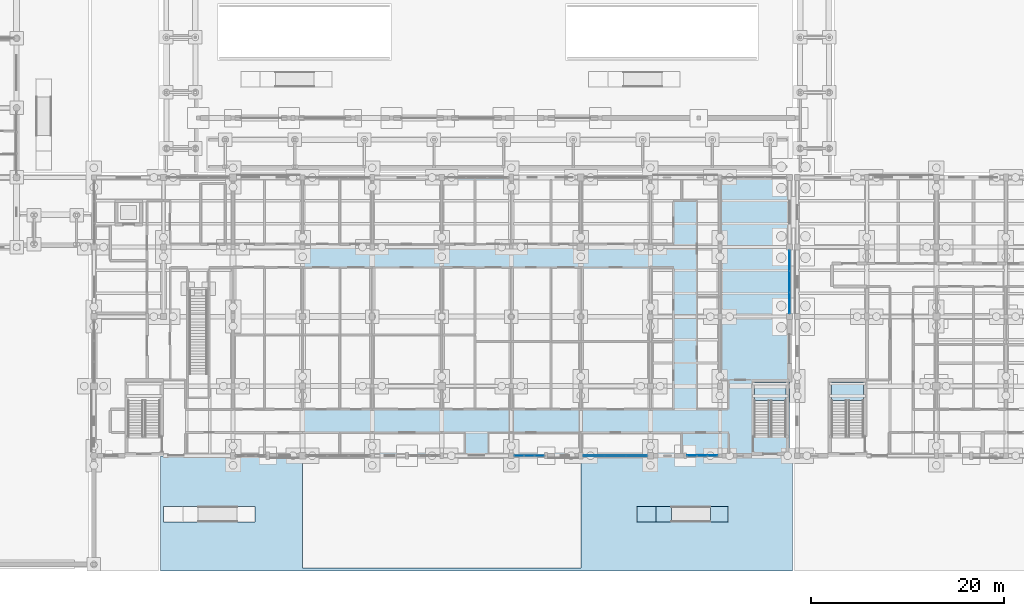
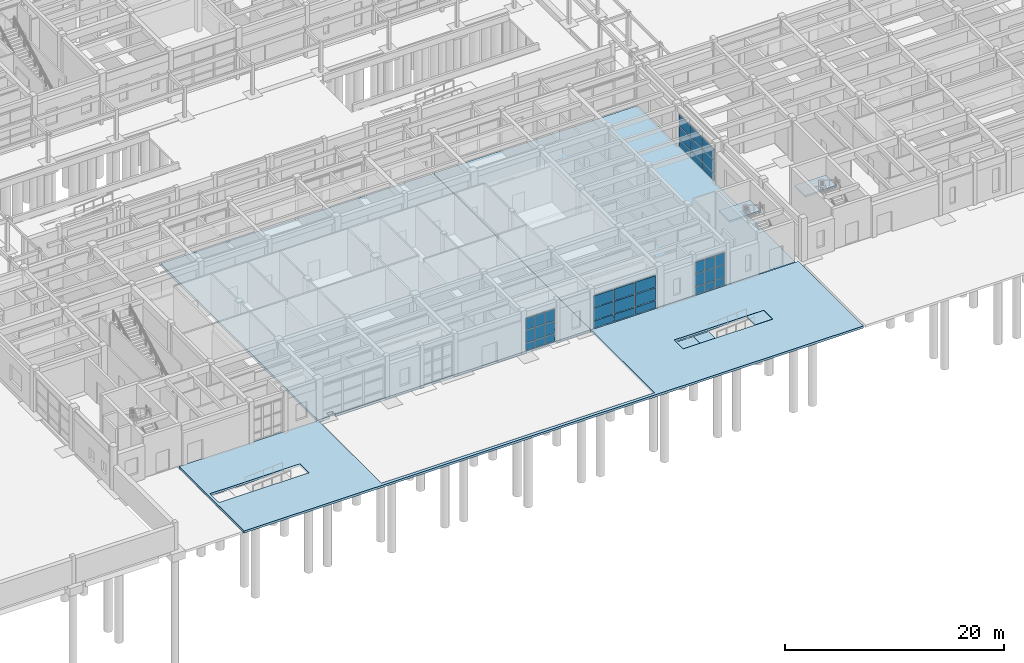
# One storey, part 81 of 143: 36 plates, 8 slabs, 7 elements without a shape of their own.
"""IFC4 building model written with IfcOpenShell, lengths in metres."""

from ifc_helpers import new_model, si_unit, direction, frame, origin, origin_2d, place, context, subcontext, project, spatial, polyline, rectangle, outline, extrude, material, layer, layer_set, type_object, element, aggregate, save


model = new_model("IFC4")

# Units and contexts
model_context = context("Model", 3, precision=1e-05, world=origin(), true_north=direction((0.0, 1.0)))
body_context = subcontext(model_context, "Body", "Model", "MODEL_VIEW")
ifc_project = project(units=[si_unit("LENGTHUNIT", "METRE"), si_unit("AREAUNIT", "SQUARE_METRE"), si_unit("VOLUMEUNIT", "CUBIC_METRE"), si_unit("PLANEANGLEUNIT", "RADIAN"), si_unit("MASSUNIT", "GRAM", prefix="KILO")], contexts=[model_context])

# Site, building, storey
site_placement = place(None, origin())
site = spatial("IfcSite", under=ifc_project, at=site_placement, CompositionType="ELEMENT")
building_placement = place(site_placement, origin())
building = spatial("IfcBuilding", under=site, at=building_placement, Name="Steenspoor Specialist Clinic", CompositionType="ELEMENT")
storey_placement = place(building_placement, origin())
storey = spatial("IfcBuildingStorey", under=building, at=storey_placement, Name="L00", CompositionType="ELEMENT", Elevation=0.0)

# Curtain wall, plates
ifc_material_1 = material(Name="Thermally broken aluminium and low-emissivity glass", Category="aluminium")
curtain_wall_type_1 = type_object("IfcCurtainWallType", Name="CW-HALL-480X820", PredefinedType="USERDEFINED", material=ifc_material_1)
curtain_wall_1_placement = place(storey_placement, origin())
curtain_wall_1 = element("IfcCurtainWall", 1, at=curtain_wall_1_placement, inside=storey, type_object=curtain_wall_type_1, Name="Unitised Curtain Wall CW-V1-L00-003", ObjectType="UNITISED GLAZING", PredefinedType="USERDEFINED")
ifc_material_2 = material(Name="Double low-emissivity insulated glass", Category="glass")
ifc_layer_1 = layer(ifc_material_2, 0.035888671875)
ifc_layer_set_1 = layer_set([ifc_layer_1], Name="Double low-emissivity insulated glass")
plate_type_1 = type_object("IfcPlateType", Name="CW-PAN-GL36", PredefinedType="CURTAIN_PANEL", material=ifc_layer_set_1)
plate_1_placement = place(storey_placement, frame((91.3046875, 13.050048828125, 0.06005859375), z_axis=(0.0, 0.0, 1.0), x_axis=(-1.0, 0.0, 0.0)))
plate_1 = element("IfcPlate", 2, at=plate_1_placement, type_object=plate_type_1, Name="CW-03 panel 1.1", PredefinedType="CURTAIN_PANEL", context=body_context, shape_type="SweptSolid", body=[
    extrude(rectangle(XDim=0.9609375, YDim=0.035888671875, at=origin_2d()), origin(), (0.0, 0.0, 1.0), 0.81005859375),
])
plate_2_placement = place(storey_placement, frame((91.3046875, 13.050048828125, 0.93017578125), z_axis=(0.0, 0.0, 1.0), x_axis=(-1.0, 0.0, 0.0)))
plate_2 = element("IfcPlate", 3, at=plate_2_placement, type_object=plate_type_1, Name="CW-03 panel 1.2", PredefinedType="CURTAIN_PANEL", context=body_context, shape_type="SweptSolid", body=[
    extrude(rectangle(XDim=0.9609375, YDim=0.035888671875, at=origin_2d()), origin(), (0.0, 0.0, 1.0), 1.389892578125),
])
plate_3_placement = place(storey_placement, frame((91.3046875, 13.050048828125, 2.3798828125), z_axis=(0.0, 0.0, 1.0), x_axis=(-1.0, 0.0, 0.0)))
plate_3 = element("IfcPlate", 4, at=plate_3_placement, type_object=plate_type_1, Name="CW-03 panel 1.3", PredefinedType="CURTAIN_PANEL", context=body_context, shape_type="SweptSolid", body=[
    extrude(rectangle(XDim=0.9609375, YDim=0.035888671875, at=origin_2d()), origin(), (0.0, 0.0, 1.0), 1.2900390625),
])
plate_4_placement = place(storey_placement, frame((90.262451171875, 13.050048828125, 0.06005859375), z_axis=(0.0, 0.0, 1.0), x_axis=(-1.0, 0.0, 0.0)))
plate_4 = element("IfcPlate", 5, at=plate_4_placement, type_object=plate_type_1, Name="CW-03 panel 2.1", PredefinedType="CURTAIN_PANEL", context=body_context, shape_type="SweptSolid", body=[
    extrude(rectangle(XDim=0.993408203125, YDim=0.035888671875, at=origin_2d()), origin(), (0.0, 0.0, 1.0), 0.81005859375),
])
plate_5_placement = place(storey_placement, frame((90.262451171875, 13.050048828125, 0.93017578125), z_axis=(0.0, 0.0, 1.0), x_axis=(-1.0, 0.0, 0.0)))
plate_5 = element("IfcPlate", 6, at=plate_5_placement, type_object=plate_type_1, Name="CW-03 panel 2.2", PredefinedType="CURTAIN_PANEL", context=body_context, shape_type="SweptSolid", body=[
    extrude(rectangle(XDim=0.993408203125, YDim=0.035888671875, at=origin_2d()), origin(), (0.0, 0.0, 1.0), 1.389892578125),
])
plate_6_placement = place(storey_placement, frame((90.262451171875, 13.050048828125, 2.3798828125), z_axis=(0.0, 0.0, 1.0), x_axis=(-1.0, 0.0, 0.0)))
plate_6 = element("IfcPlate", 7, at=plate_6_placement, type_object=plate_type_1, Name="CW-03 panel 2.3", PredefinedType="CURTAIN_PANEL", context=body_context, shape_type="SweptSolid", body=[
    extrude(rectangle(XDim=0.993408203125, YDim=0.035888671875, at=origin_2d()), origin(), (0.0, 0.0, 1.0), 1.2900390625),
])
plate_7_placement = place(storey_placement, frame((89.220458984375, 13.050048828125, 0.06005859375), z_axis=(0.0, 0.0, 1.0), x_axis=(-1.0, 0.0, 0.0)))
plate_7 = element("IfcPlate", 8, at=plate_7_placement, type_object=plate_type_1, Name="CW-03 panel 3.1", PredefinedType="CURTAIN_PANEL", context=body_context, shape_type="SweptSolid", body=[
    extrude(rectangle(XDim=0.9609375, YDim=0.035888671875, at=origin_2d()), origin(), (0.0, 0.0, 1.0), 0.81005859375),
])
plate_8_placement = place(storey_placement, frame((89.220458984375, 13.050048828125, 0.93017578125), z_axis=(0.0, 0.0, 1.0), x_axis=(-1.0, 0.0, 0.0)))
plate_8 = element("IfcPlate", 9, at=plate_8_placement, type_object=plate_type_1, Name="CW-03 panel 3.2", PredefinedType="CURTAIN_PANEL", context=body_context, shape_type="SweptSolid", body=[
    extrude(rectangle(XDim=0.9609375, YDim=0.035888671875, at=origin_2d()), origin(), (0.0, 0.0, 1.0), 1.389892578125),
])
plate_9_placement = place(storey_placement, frame((89.220458984375, 13.050048828125, 2.3798828125), z_axis=(0.0, 0.0, 1.0), x_axis=(-1.0, 0.0, 0.0)))
plate_9 = element("IfcPlate", 10, at=plate_9_placement, type_object=plate_type_1, Name="CW-03 panel 3.3", PredefinedType="CURTAIN_PANEL", context=body_context, shape_type="SweptSolid", body=[
    extrude(rectangle(XDim=0.9609375, YDim=0.035888671875, at=origin_2d()), origin(), (0.0, 0.0, 1.0), 1.2900390625),
])
aggregate(curtain_wall_1, [plate_1, plate_2, plate_3, plate_4, plate_5, plate_6, plate_7, plate_8, plate_9])

curtain_wall_type_2 = type_object("IfcCurtainWallType", Name="CW-HALL-660X820", PredefinedType="USERDEFINED", material=ifc_material_1)
curtain_wall_2_placement = place(storey_placement, origin())
curtain_wall_2 = element("IfcCurtainWall", 11, at=curtain_wall_2_placement, inside=storey, type_object=curtain_wall_type_2, Name="Unitised Curtain Wall CW-V1-L00-001", ObjectType="UNITISED GLAZING", PredefinedType="USERDEFINED")
ifc_material_3 = material(Name="Triple acoustic laminated low-emissivity glass", Category="glass")
ifc_layer_2 = layer(ifc_material_3, 0.048095703125)
ifc_layer_set_2 = layer_set([ifc_layer_2], Name="Triple acoustic laminated low-emissivity glass")
plate_type_2 = type_object("IfcPlateType", Name="CW-PAN-GL48", PredefinedType="CURTAIN_PANEL", material=ifc_layer_set_2)
plate_10_placement = place(storey_placement, frame((109.236572265625, 13.050048828125, 0.070068359375), z_axis=(0.0, 0.0, 1.0), x_axis=(-1.0, 0.0, 0.0)))
plate_10 = element("IfcPlate", 12, at=plate_10_placement, type_object=plate_type_2, Name="CW-01 panel 1.1", PredefinedType="CURTAIN_PANEL", context=body_context, shape_type="SweptSolid", body=[
    extrude(rectangle(XDim=0.966552734375, YDim=0.048095703125, at=origin_2d()), origin(), (0.0, 0.0, 1.0), 0.794921875),
])
plate_11_placement = place(storey_placement, frame((109.236572265625, 13.050048828125, 0.93505859375), z_axis=(0.0, 0.0, 1.0), x_axis=(-1.0, 0.0, 0.0)))
plate_11 = element("IfcPlate", 13, at=plate_11_placement, type_object=plate_type_2, Name="CW-01 panel 1.2", PredefinedType="CURTAIN_PANEL", context=body_context, shape_type="SweptSolid", body=[
    extrude(rectangle(XDim=0.966552734375, YDim=0.048095703125, at=origin_2d()), origin(), (0.0, 0.0, 1.0), 1.3798828125),
])
plate_12_placement = place(storey_placement, frame((109.236572265625, 13.050048828125, 2.385009765625), z_axis=(0.0, 0.0, 1.0), x_axis=(-1.0, 0.0, 0.0)))
plate_12 = element("IfcPlate", 14, at=plate_12_placement, type_object=plate_type_2, Name="CW-01 panel 1.3", PredefinedType="CURTAIN_PANEL", context=body_context, shape_type="SweptSolid", body=[
    extrude(rectangle(XDim=0.966552734375, YDim=0.048095703125, at=origin_2d()), origin(), (0.0, 0.0, 1.0), 1.27490234375),
])
plate_13_placement = place(storey_placement, frame((108.169921875, 13.050048828125, 0.070068359375), z_axis=(0.0, 0.0, 1.0), x_axis=(-1.0, 0.0, 0.0)))
plate_13 = element("IfcPlate", 15, at=plate_13_placement, type_object=plate_type_2, Name="CW-01 panel 2.1", PredefinedType="CURTAIN_PANEL", context=body_context, shape_type="SweptSolid", body=[
    extrude(rectangle(XDim=1.006591796875, YDim=0.048095703125, at=origin_2d()), origin(), (0.0, 0.0, 1.0), 0.794921875),
])
plate_14_placement = place(storey_placement, frame((108.169921875, 13.050048828125, 0.93505859375), z_axis=(0.0, 0.0, 1.0), x_axis=(-1.0, 0.0, 0.0)))
plate_14 = element("IfcPlate", 16, at=plate_14_placement, type_object=plate_type_2, Name="CW-01 panel 2.2", PredefinedType="CURTAIN_PANEL", context=body_context, shape_type="SweptSolid", body=[
    extrude(rectangle(XDim=1.006591796875, YDim=0.048095703125, at=origin_2d()), origin(), (0.0, 0.0, 1.0), 1.3798828125),
])
plate_15_placement = place(storey_placement, frame((108.169921875, 13.050048828125, 2.385009765625), z_axis=(0.0, 0.0, 1.0), x_axis=(-1.0, 0.0, 0.0)))
plate_15 = element("IfcPlate", 17, at=plate_15_placement, type_object=plate_type_2, Name="CW-01 panel 2.3", PredefinedType="CURTAIN_PANEL", context=body_context, shape_type="SweptSolid", body=[
    extrude(rectangle(XDim=1.006591796875, YDim=0.048095703125, at=origin_2d()), origin(), (0.0, 0.0, 1.0), 1.27490234375),
])
plate_16_placement = place(storey_placement, frame((107.103271484375, 13.050048828125, 0.070068359375), z_axis=(0.0, 0.0, 1.0), x_axis=(-1.0, 0.0, 0.0)))
plate_16 = element("IfcPlate", 18, at=plate_16_placement, type_object=plate_type_2, Name="CW-01 panel 3.1", PredefinedType="CURTAIN_PANEL", context=body_context, shape_type="SweptSolid", body=[
    extrude(rectangle(XDim=0.966552734375, YDim=0.048095703125, at=origin_2d()), origin(), (0.0, 0.0, 1.0), 0.794921875),
])
plate_17_placement = place(storey_placement, frame((107.103271484375, 13.050048828125, 0.93505859375), z_axis=(0.0, 0.0, 1.0), x_axis=(-1.0, 0.0, 0.0)))
plate_17 = element("IfcPlate", 19, at=plate_17_placement, type_object=plate_type_2, Name="CW-01 panel 3.2", PredefinedType="CURTAIN_PANEL", context=body_context, shape_type="SweptSolid", body=[
    extrude(rectangle(XDim=0.966552734375, YDim=0.048095703125, at=origin_2d()), origin(), (0.0, 0.0, 1.0), 1.3798828125),
])
plate_18_placement = place(storey_placement, frame((107.103271484375, 13.050048828125, 2.385009765625), z_axis=(0.0, 0.0, 1.0), x_axis=(-1.0, 0.0, 0.0)))
plate_18 = element("IfcPlate", 20, at=plate_18_placement, type_object=plate_type_2, Name="CW-01 panel 3.3", PredefinedType="CURTAIN_PANEL", context=body_context, shape_type="SweptSolid", body=[
    extrude(rectangle(XDim=0.966552734375, YDim=0.048095703125, at=origin_2d()), origin(), (0.0, 0.0, 1.0), 1.27490234375),
])
aggregate(curtain_wall_2, [plate_10, plate_11, plate_12, plate_13, plate_14, plate_15, plate_16, plate_17, plate_18])

curtain_wall_type_3 = type_object("IfcCurtainWallType", Name="CW-HALL-650X820", PredefinedType="USERDEFINED", material=ifc_material_1)
curtain_wall_3_placement = place(storey_placement, origin())
curtain_wall_3 = element("IfcCurtainWall", 21, at=curtain_wall_3_placement, inside=storey, type_object=curtain_wall_type_3, Name="Unitised Curtain Wall CW-V1-L00-002", ObjectType="UNITISED GLAZING", PredefinedType="USERDEFINED")
ifc_material_4 = material(Name="Insulated glazed ceramic spandrel panel", Category="glass")
ifc_layer_3 = layer(ifc_material_4, 0.074951171875)
ifc_layer_set_3 = layer_set([ifc_layer_3], Name="Insulated glazed ceramic spandrel panel")
plate_type_3 = type_object("IfcPlateType", Name="CW-PAN-SP75", PredefinedType="CURTAIN_PANEL", material=ifc_layer_set_3)
plate_19_placement = place(storey_placement, frame((101.34912109375, 13.050048828125, 0.06494140625), z_axis=(0.0, 0.0, 1.0), x_axis=(-1.0, 0.0, 0.0)))
plate_19 = element("IfcPlate", 22, at=plate_19_placement, type_object=plate_type_3, Name="CW-02 panel 1.1", PredefinedType="CURTAIN_PANEL", context=body_context, shape_type="SweptSolid", body=[
    extrude(rectangle(XDim=2.111572265625, YDim=0.074951171875, at=origin_2d()), origin(), (0.0, 0.0, 1.0), 0.802490234375),
])
plate_20_placement = place(storey_placement, frame((101.34912109375, 13.050048828125, 0.9326171875), z_axis=(0.0, 0.0, 1.0), x_axis=(-1.0, 0.0, 0.0)))
plate_20 = element("IfcPlate", 23, at=plate_20_placement, type_object=plate_type_3, Name="CW-02 panel 1.2", PredefinedType="CURTAIN_PANEL", context=body_context, shape_type="SweptSolid", body=[
    extrude(rectangle(XDim=2.111572265625, YDim=0.074951171875, at=origin_2d()), origin(), (0.0, 0.0, 1.0), 1.385009765625),
])
plate_21_placement = place(storey_placement, frame((101.34912109375, 13.050048828125, 2.38232421875), z_axis=(0.0, 0.0, 1.0), x_axis=(-1.0, 0.0, 0.0)))
plate_21 = element("IfcPlate", 24, at=plate_21_placement, type_object=plate_type_3, Name="CW-02 panel 1.3", PredefinedType="CURTAIN_PANEL", context=body_context, shape_type="SweptSolid", body=[
    extrude(rectangle(XDim=2.111572265625, YDim=0.074951171875, at=origin_2d()), origin(), (0.0, 0.0, 1.0), 1.282470703125),
])
plate_22_placement = place(storey_placement, frame((99.14990234375, 13.050048828125, 0.06494140625), z_axis=(0.0, 0.0, 1.0), x_axis=(-1.0, 0.0, 0.0)))
plate_22 = element("IfcPlate", 25, at=plate_22_placement, type_object=plate_type_3, Name="CW-02 panel 2.1", PredefinedType="CURTAIN_PANEL", context=body_context, shape_type="SweptSolid", body=[
    extrude(rectangle(XDim=2.146728515625, YDim=0.074951171875, at=origin_2d()), origin(), (0.0, 0.0, 1.0), 0.802490234375),
])
plate_23_placement = place(storey_placement, frame((99.14990234375, 13.050048828125, 0.9326171875), z_axis=(0.0, 0.0, 1.0), x_axis=(-1.0, 0.0, 0.0)))
plate_23 = element("IfcPlate", 26, at=plate_23_placement, type_object=plate_type_3, Name="CW-02 panel 2.2", PredefinedType="CURTAIN_PANEL", context=body_context, shape_type="SweptSolid", body=[
    extrude(rectangle(XDim=2.146728515625, YDim=0.074951171875, at=origin_2d()), origin(), (0.0, 0.0, 1.0), 1.385009765625),
])
plate_24_placement = place(storey_placement, frame((99.14990234375, 13.050048828125, 2.38232421875), z_axis=(0.0, 0.0, 1.0), x_axis=(-1.0, 0.0, 0.0)))
plate_24 = element("IfcPlate", 27, at=plate_24_placement, type_object=plate_type_3, Name="CW-02 panel 2.3", PredefinedType="CURTAIN_PANEL", context=body_context, shape_type="SweptSolid", body=[
    extrude(rectangle(XDim=2.146728515625, YDim=0.074951171875, at=origin_2d()), origin(), (0.0, 0.0, 1.0), 1.282470703125),
])
plate_25_placement = place(storey_placement, frame((96.950927734375, 13.050048828125, 0.06494140625), z_axis=(0.0, 0.0, 1.0), x_axis=(-1.0, 0.0, 0.0)))
plate_25 = element("IfcPlate", 28, at=plate_25_placement, type_object=plate_type_3, Name="CW-02 panel 3.1", PredefinedType="CURTAIN_PANEL", context=body_context, shape_type="SweptSolid", body=[
    extrude(rectangle(XDim=2.111572265625, YDim=0.074951171875, at=origin_2d()), origin(), (0.0, 0.0, 1.0), 0.802490234375),
])
plate_26_placement = place(storey_placement, frame((96.950927734375, 13.050048828125, 0.9326171875), z_axis=(0.0, 0.0, 1.0), x_axis=(-1.0, 0.0, 0.0)))
plate_26 = element("IfcPlate", 29, at=plate_26_placement, type_object=plate_type_3, Name="CW-02 panel 3.2", PredefinedType="CURTAIN_PANEL", context=body_context, shape_type="SweptSolid", body=[
    extrude(rectangle(XDim=2.111572265625, YDim=0.074951171875, at=origin_2d()), origin(), (0.0, 0.0, 1.0), 1.385009765625),
])
plate_27_placement = place(storey_placement, frame((96.950927734375, 13.050048828125, 2.38232421875), z_axis=(0.0, 0.0, 1.0), x_axis=(-1.0, 0.0, 0.0)))
plate_27 = element("IfcPlate", 30, at=plate_27_placement, type_object=plate_type_3, Name="CW-02 panel 3.3", PredefinedType="CURTAIN_PANEL", context=body_context, shape_type="SweptSolid", body=[
    extrude(rectangle(XDim=2.111572265625, YDim=0.074951171875, at=origin_2d()), origin(), (0.0, 0.0, 1.0), 1.282470703125),
])
aggregate(curtain_wall_3, [plate_19, plate_20, plate_21, plate_22, plate_23, plate_24, plate_25, plate_26, plate_27])

curtain_wall_type_4 = type_object("IfcCurtainWallType", Name="CW-TYP-360X355", PredefinedType="USERDEFINED", material=ifc_material_1)
curtain_wall_4_placement = place(storey_placement, origin())
curtain_wall_4 = element("IfcCurtainWall", 31, at=curtain_wall_4_placement, inside=storey, type_object=curtain_wall_type_4, Name="Unitised Curtain Wall CW-V1-L00-014", ObjectType="UNITISED GLAZING", PredefinedType="USERDEFINED")
plate_28_placement = place(storey_placement, frame((117.199951171875, 33.232421875, 0.08984375), z_axis=(0.0, 0.0, 1.0), x_axis=(0.0, -1.0, 0.0)))
plate_28 = element("IfcPlate", 32, at=plate_28_placement, type_object=plate_type_3, Name="CW-14 panel 1.1", PredefinedType="CURTAIN_PANEL", context=body_context, shape_type="SweptSolid", body=[
    extrude(rectangle(XDim=2.094970703125, YDim=0.074951171875, at=origin_2d()), origin(), (0.0, 0.0, 1.0), 0.764892578125),
])
plate_29_placement = place(storey_placement, frame((117.199951171875, 33.232421875, 0.94482421875), z_axis=(0.0, 0.0, 1.0), x_axis=(0.0, -1.0, 0.0)))
plate_29 = element("IfcPlate", 33, at=plate_29_placement, type_object=plate_type_3, Name="CW-14 panel 1.2", PredefinedType="CURTAIN_PANEL", context=body_context, shape_type="SweptSolid", body=[
    extrude(rectangle(XDim=2.094970703125, YDim=0.074951171875, at=origin_2d()), origin(), (0.0, 0.0, 1.0), 1.360107421875),
])
plate_30_placement = place(storey_placement, frame((117.199951171875, 33.232421875, 2.39501953125), z_axis=(0.0, 0.0, 1.0), x_axis=(0.0, -1.0, 0.0)))
plate_30 = element("IfcPlate", 34, at=plate_30_placement, type_object=plate_type_3, Name="CW-14 panel 1.3", PredefinedType="CURTAIN_PANEL", context=body_context, shape_type="SweptSolid", body=[
    extrude(rectangle(XDim=2.094970703125, YDim=0.074951171875, at=origin_2d()), origin(), (0.0, 0.0, 1.0), 1.2451171875),
])
plate_31_placement = place(storey_placement, frame((117.199951171875, 31.050048828125, 0.08984375), z_axis=(0.0, 0.0, 1.0), x_axis=(0.0, -1.0, 0.0)))
plate_31 = element("IfcPlate", 35, at=plate_31_placement, type_object=plate_type_3, Name="CW-14 panel 2.1", PredefinedType="CURTAIN_PANEL", context=body_context, shape_type="SweptSolid", body=[
    extrude(rectangle(XDim=2.1298828125, YDim=0.074951171875, at=origin_2d()), origin(), (0.0, 0.0, 1.0), 0.764892578125),
])
plate_32_placement = place(storey_placement, frame((117.199951171875, 31.050048828125, 0.94482421875), z_axis=(0.0, 0.0, 1.0), x_axis=(0.0, -1.0, 0.0)))
plate_32 = element("IfcPlate", 36, at=plate_32_placement, type_object=plate_type_3, Name="CW-14 panel 2.2", PredefinedType="CURTAIN_PANEL", context=body_context, shape_type="SweptSolid", body=[
    extrude(rectangle(XDim=2.1298828125, YDim=0.074951171875, at=origin_2d()), origin(), (0.0, 0.0, 1.0), 1.360107421875),
])
plate_33_placement = place(storey_placement, frame((117.199951171875, 31.050048828125, 2.39501953125), z_axis=(0.0, 0.0, 1.0), x_axis=(0.0, -1.0, 0.0)))
plate_33 = element("IfcPlate", 37, at=plate_33_placement, type_object=plate_type_3, Name="CW-14 panel 2.3", PredefinedType="CURTAIN_PANEL", context=body_context, shape_type="SweptSolid", body=[
    extrude(rectangle(XDim=2.1298828125, YDim=0.074951171875, at=origin_2d()), origin(), (0.0, 0.0, 1.0), 1.2451171875),
])
plate_34_placement = place(storey_placement, frame((117.199951171875, 28.867431640625, 0.08984375), z_axis=(0.0, 0.0, 1.0), x_axis=(0.0, -1.0, 0.0)))
plate_34 = element("IfcPlate", 38, at=plate_34_placement, type_object=plate_type_3, Name="CW-14 panel 3.1", PredefinedType="CURTAIN_PANEL", context=body_context, shape_type="SweptSolid", body=[
    extrude(rectangle(XDim=2.094970703125, YDim=0.074951171875, at=origin_2d()), origin(), (0.0, 0.0, 1.0), 0.764892578125),
])
plate_35_placement = place(storey_placement, frame((117.199951171875, 28.867431640625, 0.94482421875), z_axis=(0.0, 0.0, 1.0), x_axis=(0.0, -1.0, 0.0)))
plate_35 = element("IfcPlate", 39, at=plate_35_placement, type_object=plate_type_3, Name="CW-14 panel 3.2", PredefinedType="CURTAIN_PANEL", context=body_context, shape_type="SweptSolid", body=[
    extrude(rectangle(XDim=2.094970703125, YDim=0.074951171875, at=origin_2d()), origin(), (0.0, 0.0, 1.0), 1.360107421875),
])
plate_36_placement = place(storey_placement, frame((117.199951171875, 28.867431640625, 2.39501953125), z_axis=(0.0, 0.0, 1.0), x_axis=(0.0, -1.0, 0.0)))
plate_36 = element("IfcPlate", 40, at=plate_36_placement, type_object=plate_type_3, Name="CW-14 panel 3.3", PredefinedType="CURTAIN_PANEL", context=body_context, shape_type="SweptSolid", body=[
    extrude(rectangle(XDim=2.094970703125, YDim=0.074951171875, at=origin_2d()), origin(), (0.0, 0.0, 1.0), 1.2451171875),
])
aggregate(curtain_wall_4, [plate_28, plate_29, plate_30, plate_31, plate_32, plate_33, plate_34, plate_35, plate_36])

# Slabs
ifc_material_5 = material(Name="Concrete C35/45", Category="concrete")
ifc_layer_4 = layer(ifc_material_5, 0.300048828125)
ifc_layer_set_4 = layer_set([ifc_layer_4], Name="Concrete C35/45")
slab_type_1 = type_object("IfcSlabType", Name="SL-BASE-300", PredefinedType="BASESLAB", material=ifc_layer_set_4)
slab_1_placement = place(storey_placement, frame((0.0, 0.0, -0.300048828125)))
element("IfcSlab", 41, at=slab_1_placement, inside=storey, type_object=slab_type_1, Name="Structural Slab SLAB-V1-L00-002", PredefinedType="BASESLAB", context=body_context, shape_type="SweptSolid", body=[
    extrude(outline(polyline([(95.60009765625, 13.050048828125), (68.64990234375, 13.050048828125), (68.64990234375, 13.60009765625), (68.0, 13.60009765625), (68.0, 13.050048828125), (66.800048828125, 13.050048828125), (66.800048828125, 41.85009765625), (95.60009765625, 41.85009765625), (95.60009765625, 13.050048828125)])), origin(), (0.0, 0.0, 1.0), 0.300048828125),
])
slab_2_placement = place(storey_placement, frame((0.0, 0.0, -0.300048828125)))
element("IfcSlab", 42, at=slab_2_placement, inside=storey, type_object=slab_type_1, Name="Structural Slab SLAB-V1-L00-003", PredefinedType="BASESLAB", context=body_context, shape_type="SweptSolid", body=[
    extrude(outline(polyline([(117.199951171875, 13.050048828125), (97.449951171875, 13.050048828125), (97.449951171875, 13.60009765625), (96.800048828125, 13.60009765625), (96.800048828125, 13.050048828125), (95.60009765625, 13.050048828125), (95.60009765625, 41.85009765625), (117.199951171875, 41.85009765625), (117.199951171875, 13.050048828125)])), origin(), (0.0, 0.0, 1.0), 0.300048828125),
])

# Stair, slab
stair_type = type_object("IfcStairType", Name="ST-CORE-L00", PredefinedType="HALF_TURN_STAIR", material=ifc_material_5)
stair_1_placement = place(storey_placement, origin())
stair_1 = element("IfcStair", 43, at=stair_1_placement, inside=storey, type_object=stair_type, Name="L00 Enclosed Exit Stair ST-V1B", PredefinedType="HALF_TURN_STAIR")
ifc_layer_5 = layer(ifc_material_5, 0.199951171875)
ifc_layer_set_5 = layer_set([ifc_layer_5], Name="Concrete C35/45")
slab_type_2 = type_object("IfcSlabType", Name="SL-LAND-200", PredefinedType="LANDING", material=ifc_layer_set_5)
slab_3_placement = place(storey_placement, frame((0.0, 0.0, 2.199951171875)))
slab_3 = element("IfcSlab", 44, at=slab_3_placement, type_object=slab_type_2, Name="ST-V1B landing 1", PredefinedType="LANDING", context=body_context, shape_type="SweptSolid", body=[
    extrude(outline(polyline([(116.85009765625, 18.7548828125), (116.85009765625, 20.699951171875), (113.550048828125, 20.699951171875), (113.550048828125, 18.7548828125), (116.85009765625, 18.7548828125)])), origin(), (0.0, 0.0, 1.0), 0.199951171875),
])
aggregate(stair_1, [slab_3])

stair_2_placement = place(storey_placement, origin())
stair_2 = element("IfcStair", 45, at=stair_2_placement, inside=storey, type_object=stair_type, Name="L00 Enclosed Exit Stair ST-V2A", PredefinedType="HALF_TURN_STAIR")
slab_4_placement = place(storey_placement, frame((0.0, 0.0, 2.199951171875)))
slab_4 = element("IfcSlab", 46, at=slab_4_placement, type_object=slab_type_2, Name="ST-V2A landing 1", PredefinedType="LANDING", context=body_context, shape_type="SweptSolid", body=[
    extrude(outline(polyline([(124.85009765625, 18.7548828125), (124.85009765625, 20.699951171875), (121.550048828125, 20.699951171875), (121.550048828125, 18.7548828125), (124.85009765625, 18.7548828125)])), origin(), (0.0, 0.0, 1.0), 0.199951171875),
])
aggregate(stair_2, [slab_4])

# Slabs
ifc_layer_6 = layer(ifc_material_5, 0.25)
ifc_layer_set_6 = layer_set([ifc_layer_6], Name="Concrete C35/45")
slab_type_3 = type_object("IfcSlabType", Name="SL-PLAZA-250", PredefinedType="BASESLAB", material=ifc_layer_set_6)
slab_5_placement = place(storey_placement, frame((0.0, 0.0, -0.550048828125)))
element("IfcSlab", 47, at=slab_5_placement, inside=storey, type_object=slab_type_3, Name="Outdoor Drop-Off Ramp Kerb Paving Slab APRON-RMP-02", PredefinedType="BASESLAB", context=body_context, shape_type="SweptSolid", body=[
    extrude(outline(polyline([(103.3798828125, 6.199951171875), (103.3798828125, 7.800048828125), (101.39990234375, 7.800048828125), (101.39990234375, 6.199951171875), (103.3798828125, 6.199951171875)])), origin(), (0.0, 0.0, 1.0), 0.25),
])
slab_6_placement = place(storey_placement, frame((0.0, 0.0, -0.25)))
element("IfcSlab", 48, at=slab_6_placement, inside=storey, type_object=slab_type_3, Name="Outdoor Campus Plaza Paving Slab PLAZA-SOUTH-APRON-02", PredefinedType="BASESLAB", context=body_context, shape_type="SweptSolid", body=[
    extrude(outline(polyline([(117.5, 13.0), (117.5, 1.10009765625), (52.10009765625, 1.10009765625), (52.10009765625, 13.0), (66.780029296875, 13.0), (66.780029296875, 1.429931640625), (95.6201171875, 1.429931640625), (95.6201171875, 13.0), (117.5, 13.0)]), holes=[polyline([(61.8701171875, 7.820068359375), (52.3798828125, 7.820068359375), (52.3798828125, 6.179931640625), (61.8701171875, 6.179931640625), (61.8701171875, 7.820068359375)]), polyline([(110.8701171875, 6.179931640625), (110.8701171875, 7.820068359375), (101.3798828125, 7.820068359375), (101.3798828125, 6.179931640625), (110.8701171875, 6.179931640625)])]), origin(), (0.0, 0.0, 1.0), 0.25),
])

# Ramp, slabs
ramp_type = type_object("IfcRampType", Name="RAMP-CONADI-075", PredefinedType="STRAIGHT_RUN_RAMP", material=ifc_material_5)
ramp_placement = place(storey_placement, origin())
ramp = element("IfcRamp", 49, at=ramp_placement, inside=storey, type_object=ramp_type, Name="Accessible Ramp RMP-02", PredefinedType="STRAIGHT_RUN_RAMP")
ifc_layer_7 = layer(ifc_material_5, 0.159912109375)
ifc_layer_set_7 = layer_set([ifc_layer_7], Name="Concrete C35/45")
slab_type_4 = type_object("IfcSlabType", Name="SL-RLAND-160", PredefinedType="LANDING", material=ifc_layer_set_7)
slab_7_placement = place(storey_placement, frame((0.0, 0.0, -0.159912109375)))
slab_7 = element("IfcSlab", 50, at=slab_7_placement, type_object=slab_type_4, Name="Ramp Top Landing RMP-02", PredefinedType="LANDING", context=body_context, shape_type="SweptSolid", body=[
    extrude(outline(polyline([(109.0, 6.199951171875), (110.85009765625, 6.199951171875), (110.85009765625, 7.800048828125), (109.0, 7.800048828125), (109.0, 6.199951171875)])), origin(), (0.0, 0.0, 1.0), 0.159912109375),
])
slab_8_placement = place(storey_placement, frame((0.0, 0.0, -0.4599609375)))
slab_8 = element("IfcSlab", 51, at=slab_8_placement, type_object=slab_type_4, Name="Ramp Bottom Landing RMP-02", PredefinedType="LANDING", context=body_context, shape_type="SweptSolid", body=[
    extrude(outline(polyline([(103.39990234375, 6.199951171875), (105.0, 6.199951171875), (105.0, 7.800048828125), (103.39990234375, 7.800048828125), (103.39990234375, 6.199951171875)])), origin(), (0.0, 0.0, 1.0), 0.159912109375),
])
aggregate(ramp, [slab_7, slab_8])

save(model, "model.ifc")
